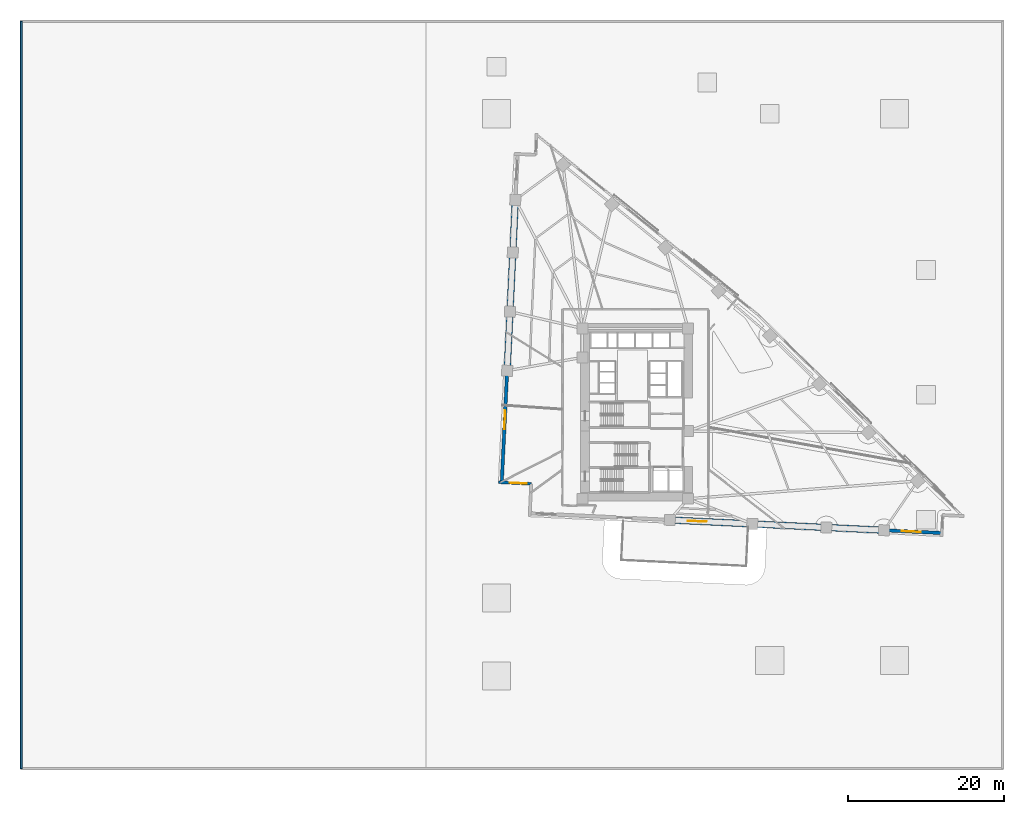
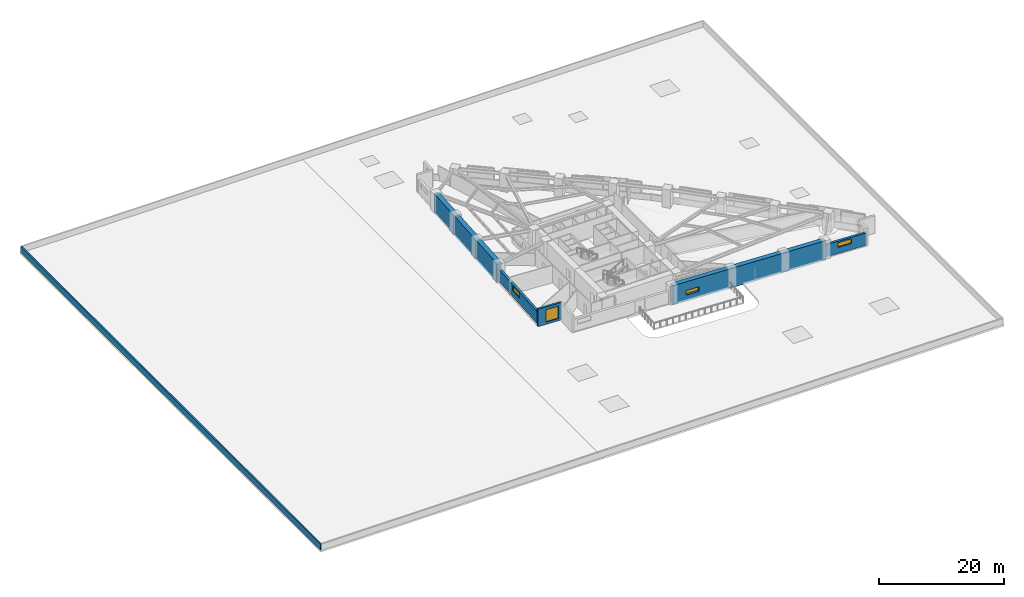
# One storey, part 12 of 19: 6 walls, 4 windows, 4 openings.
"""IFC4 building model written with IfcOpenShell, lengths in metres."""

import ifcopenshell
import ifcopenshell.guid

model = None  # the IFC model being written
_history = None  # IfcOwnerHistory: only IFC2X3 demands one
_inside = {}  # id of a spatial element -> (the spatial element, [elements in it])
_under = {}  # id of a project, library or spatial element -> (it, [spatial elements below it])
_declared = {}  # id of a project -> (the project, [libraries it declares])
_typed = {}  # id of a type object -> (the type object, [elements of that type])
_made_of = {}  # id of a material, layer set ... -> (it, [elements and type objects made of it])


def new_model(schema):
    """Start an empty IFC model of exactly this schema.

    Asked for "IFC4X3", IfcOpenShell would pick the latest addendum, in which some entities
    have other attributes; the version numbers below select the first issue.
    IFC2X3 requires an IfcOwnerHistory on every rooted entity: one is made here for all.
    """
    global model, _history
    if schema == "IFC4X3":
        model = ifcopenshell.file(schema_version=(4, 3, 0, 0))
    else:
        model = ifcopenshell.file(schema=schema)
    _inside.clear()
    _under.clear()
    _declared.clear()
    _typed.clear()
    _made_of.clear()
    _history = None
    if model.schema == "IFC2X3":
        org = make("IfcOrganization", Name="unknown")
        user = make(
            "IfcPersonAndOrganization",
            ThePerson=make("IfcPerson", FamilyName="unknown"),
            TheOrganization=org,
        )
        app = make(
            "IfcApplication",
            ApplicationDeveloper=org,
            Version="unknown",
            ApplicationFullName="unknown",
            ApplicationIdentifier="unknown",
        )
        _history = make(
            "IfcOwnerHistory",
            OwningUser=user,
            OwningApplication=app,
            ChangeAction="ADDED",
            CreationDate=0,
        )
    return model


def make(cls, **values):
    """One entity of the class cls with the attributes given. An attribute that is None is left unset."""
    return model.create_entity(
        cls, **{name: value for name, value in values.items() if value is not None}
    )


def rooted(cls, **values):
    """An entity with a GlobalId (a new one), such as an element, a storey or a relation."""
    return make(cls, GlobalId=ifcopenshell.guid.new(), OwnerHistory=_history, **values)


def si_unit(unit_type, name, prefix=None):
    """IfcSIUnit, for example si_unit("LENGTHUNIT", "METRE", prefix="MILLI")."""
    return make("IfcSIUnit", UnitType=unit_type, Prefix=prefix, Name=name)


def assignment(units):
    """IfcUnitAssignment: the units of a project."""
    return None if units is None else make("IfcUnitAssignment", Units=units)


def point(xyz):
    """IfcCartesianPoint."""
    return None if xyz is None else make("IfcCartesianPoint", Coordinates=xyz)


def direction(xyz):
    """IfcDirection."""
    return None if xyz is None else make("IfcDirection", DirectionRatios=xyz)


def frame(location, z_axis=None, x_axis=None):
    """IfcAxis2Placement3D, a coordinate frame: its origin and axes. An axis left out is left unset."""
    return make(
        "IfcAxis2Placement3D",
        Location=point(location),
        Axis=direction(z_axis),
        RefDirection=direction(x_axis),
    )


def frame_2d(location, x_axis=None):
    """IfcAxis2Placement2D, a coordinate frame in the plane: its origin and x axis."""
    return make(
        "IfcAxis2Placement2D", Location=point(location), RefDirection=direction(x_axis)
    )


def origin():
    """The frame at (0, 0, 0) with its axes left unset."""
    return frame((0.0, 0.0, 0.0))


def place(relative_to, where):
    """IfcLocalPlacement: puts the frame where relative to a parent placement (None: the world)."""
    return make(
        "IfcLocalPlacement", PlacementRelTo=relative_to, RelativePlacement=where
    )


def context(
    kind, dimensions, precision=None, world=None, true_north=None, identifier=None
):
    """IfcGeometricRepresentationContext, for example the 3D "Model" context."""
    return make(
        "IfcGeometricRepresentationContext",
        ContextIdentifier=identifier,
        ContextType=kind,
        CoordinateSpaceDimension=dimensions,
        Precision=precision,
        WorldCoordinateSystem=world,
        TrueNorth=true_north,
    )


def subcontext(parent, identifier, kind, view, scale=None):
    """IfcGeometricRepresentationSubContext, for example "Body" below "Model"."""
    return make(
        "IfcGeometricRepresentationSubContext",
        ContextIdentifier=identifier,
        ContextType=kind,
        ParentContext=parent,
        TargetScale=scale,
        TargetView=view,
    )


def project(units=None, contexts=None):
    """IfcProject with its units and contexts."""
    return rooted(
        "IfcProject",
        Name="project",
        RepresentationContexts=contexts,
        UnitsInContext=assignment(units),
    )


def spatial(cls, under=None, at=None, **own):
    """A site, building, storey or space (cls), placed at a placement, below another one or the project."""
    s = rooted(cls, ObjectPlacement=at, **own)
    if under is not None:
        _under.setdefault(under.id(), (under, []))[1].append(s)
    return s


def profile(cls, at=None, kind="AREA", **sizes):
    """A parametric profile (cls). Its sizes go by their IFC names, for example OverallWidth=200.0."""
    return make(cls, ProfileType=kind, Position=at, **sizes)


def rectangle(**sizes):
    """IfcRectangleProfileDef."""
    return profile("IfcRectangleProfileDef", **sizes)


def extrude(swept, where, along, depth):
    """IfcExtrudedAreaSolid: the profile swept, set in the frame where, extruded along a direction by depth."""
    return make(
        "IfcExtrudedAreaSolid",
        SweptArea=swept,
        Position=where,
        ExtrudedDirection=direction(along),
        Depth=depth,
    )


def shape(context_of_items, identifier, shape_type, items):
    """IfcShapeRepresentation: the items that make up one representation, for example the "Body"."""
    return make(
        "IfcShapeRepresentation",
        ContextOfItems=context_of_items,
        RepresentationIdentifier=identifier,
        RepresentationType=shape_type,
        Items=items,
    )


def material(Name=None, Category=None):
    """IfcMaterial."""
    return make("IfcMaterial", Name=Name, Category=Category)


def layer(
    of_material, thickness, ventilated=None, Name=None, Category=None, Priority=None
):
    """IfcMaterialLayer: one layer of a wall or slab, of a material (None: an air gap)."""
    return make(
        "IfcMaterialLayer",
        Material=of_material,
        LayerThickness=thickness,
        IsVentilated=ventilated,
        Name=Name,
        Category=Category,
        Priority=Priority,
    )


def layer_set(layers, Name=None):
    """IfcMaterialLayerSet."""
    return make("IfcMaterialLayerSet", MaterialLayers=layers, LayerSetName=Name)


def made_of(thing, what):
    """Note that an element or type object is made of a material, layer set ...; save() writes the relation."""
    if what is not None:
        _made_of.setdefault(what.id(), (what, []))[1].append(thing)
    return thing


def type_object(cls, material=None, **own):
    """A type object (cls), such as IfcWallType, which elements share."""
    return made_of(rooted(cls, **own), material)


def element(
    cls,
    number,
    at=None,
    inside=None,
    cuts=None,
    type_object=None,
    material=None,
    context=None,
    identifier="Body",
    shape_type=None,
    held_by="IfcProductDefinitionShape",
    body=None,
    shapes=None,
    **own,
):
    """One element of the class cls, such as IfcWall. Its Tag is "e" and its number.

    at: its placement. inside: the storey or other place that contains it. cuts: it is an
    opening in that element (IfcRelVoidsElement). A single representation is given by context,
    identifier, shape_type and body (its items); several are given by shapes. held_by: the class
    of the entity that holds the representations. save() writes the other relations.
    """
    e = rooted(cls, Tag="e%d" % number, ObjectPlacement=at, **own)
    if body is not None:
        shapes = [shape(context, identifier, shape_type, body)]
    if shapes is not None:
        e.Representation = make(held_by, Representations=shapes)
    if inside is not None:
        _inside.setdefault(inside.id(), (inside, []))[1].append(e)
    if cuts is not None:
        rooted(
            "IfcRelVoidsElement", RelatingBuildingElement=cuts, RelatedOpeningElement=e
        )
    if type_object is not None:
        _typed.setdefault(type_object.id(), (type_object, []))[1].append(e)
    return made_of(e, material)


def fill(opening, filler):
    """IfcRelFillsElement: the door or window that sits in an opening."""
    return rooted(
        "IfcRelFillsElement",
        RelatingOpeningElement=opening,
        RelatedBuildingElement=filler,
    )


def aggregate(whole, parts):
    """IfcRelAggregates: a whole, such as a stair, and the parts it consists of."""
    return rooted("IfcRelAggregates", RelatingObject=whole, RelatedObjects=parts)


def save(model, path):
    """Write the relations noted so far, then the file.

    IfcRelAggregates (storeys below a building ...), IfcRelContainedInSpatialStructure (elements
    in a storey), IfcRelDefinesByType, IfcRelAssociatesMaterial and IfcRelDeclares: one each for
    every whole, place, type object, material and project.
    """
    for whole, parts in _under.values():
        aggregate(whole, parts)
    for where, things in _inside.values():
        rooted(
            "IfcRelContainedInSpatialStructure",
            RelatedElements=things,
            RelatingStructure=where,
        )
    for kind, things in _typed.values():
        rooted("IfcRelDefinesByType", RelatedObjects=things, RelatingType=kind)
    for what, things in _made_of.values():
        rooted("IfcRelAssociatesMaterial", RelatedObjects=things, RelatingMaterial=what)
    for by, libraries in _declared.values():
        rooted("IfcRelDeclares", RelatingContext=by, RelatedDefinitions=libraries)
    model.write(path)


model = new_model("IFC4")

# Units and contexts
model_context = context("Model", 3, precision=1e-05, world=origin(), true_north=direction((0.0, 1.0)))
body_context = subcontext(model_context, "Body", "Model", "MODEL_VIEW")
ifc_project = project(units=[si_unit("LENGTHUNIT", "METRE"), si_unit("AREAUNIT", "SQUARE_METRE"), si_unit("VOLUMEUNIT", "CUBIC_METRE"), si_unit("PLANEANGLEUNIT", "RADIAN"), si_unit("MASSUNIT", "GRAM", prefix="KILO")], contexts=[model_context])

# Site, building, storey
site_placement = place(None, origin())
site = spatial("IfcSite", under=ifc_project, at=site_placement, CompositionType="ELEMENT")
building_placement = place(site_placement, origin())
building = spatial("IfcBuilding", under=site, at=building_placement, Name="Narakoshi Arena Tower", CompositionType="ELEMENT")
storey_placement = place(building_placement, frame((0.0, 0.0, 26.699951171875)))
storey = spatial("IfcBuildingStorey", under=building, at=storey_placement, Name="L06", CompositionType="ELEMENT", Elevation=26.699951171875)

# Wall, opening, window
ifc_material_1 = material(Name="Concrete C60/75", Category="concrete")
ifc_layer_1 = layer(ifc_material_1, 0.85009765625)
ifc_layer_set_1 = layer_set([ifc_layer_1], Name="Concrete C60/75")
wall_type_1 = type_object("IfcWallType", Name="WL-LEG-850", PredefinedType="SHEAR", material=ifc_layer_set_1)
wall_1_placement = place(storey_placement, frame((83.2119140625, 31.979248046875, -0.39990234375), z_axis=(0.0, 0.0, 1.0), x_axis=(0.998848235141, -0.047981279227, 0.0)))
wall_1 = element("IfcWall", 1, at=wall_1_placement, inside=storey, type_object=wall_type_1, Name="L06 Architectural Concrete Structural Wall LEGA-2", PredefinedType="SHEAR", context=body_context, shape_type="SweptSolid", body=[
    extrude(rectangle(XDim=27.456298828125, YDim=0.85009765625, at=frame_2d((13.72802734375, 0.0))), origin(), (0.0, 0.0, 1.0), 3.800048828125),
])
opening_1_placement = place(wall_1_placement, frame((2.300048828125, 0.0, 1.199951171875)))
opening_1 = element("IfcOpeningElement", 2, at=opening_1_placement, cuts=wall_1, Name="Opening WN-01", PredefinedType="OPENING", context=body_context, shape_type="SweptSolid", body=[
    extrude(rectangle(XDim=2.39990234375, YDim=0.89990234375, at=frame_2d((1.199951171875, 0.449951171875))), frame((0.0, 0.43505859375, 0.0), z_axis=(0.0, -1.0, 0.0), x_axis=(1.0, 0.0, 0.0)), (0.0, 0.0, 1.0), 0.8701171875),
])
ifc_material_2 = material(Name="Bronze-tinted low-E laminated glass", Category="glass")
window_type_1 = type_object("IfcWindowType", Name="WIN-SLT-24x09", PartitioningType="SINGLE_PANEL", PredefinedType="WINDOW", material=ifc_material_2)
window_1_placement = place(opening_1_placement, origin())
window_1 = element("IfcWindow", 3, at=window_1_placement, inside=storey, type_object=window_type_1, Name="L06 LEGA2 Horizontal Slot Window 1", OverallHeight=0.89990234375, OverallWidth=2.39990234375, PartitioningType="SINGLE_PANEL", PredefinedType="WINDOW", context=body_context, shape_type="SweptSolid", body=[
    extrude(rectangle(XDim=2.39990234375, YDim=0.89990234375, at=frame_2d((1.199951171875, 0.449951171875))), frame((0.0, 0.030029296875, 0.0), z_axis=(0.0, -1.0, 0.0), x_axis=(1.0, 0.0, 0.0)), (0.0, 0.0, 1.0), 0.06005859375),
])
fill(opening_1, window_1)

# Walls
wall_2_placement = place(storey_placement, frame((63.42822265625, 72.95654296875, -0.39990234375), z_axis=(0.0, 0.0, 1.0), x_axis=(-0.047976309476, -0.998848473858, 0.0)))
element("IfcWall", 4, at=wall_2_placement, inside=storey, type_object=wall_type_1, Name="L06 Architectural Concrete Structural Wall LEGB-2", PredefinedType="SHEAR", context=body_context, shape_type="SweptSolid", body=[
    extrude(rectangle(XDim=21.891845703125, YDim=0.85009765625, at=frame_2d((10.94580078125, 0.0))), origin(), (0.0, 0.0, 1.0), 3.800048828125),
])
ifc_material_3 = material(Name="Precast concrete C45/55", Category="concrete")
ifc_layer_2 = layer(ifc_material_3, 0.25)
ifc_layer_set_2 = layer_set([ifc_layer_2], Name="Precast concrete C45/55")
wall_type_2 = type_object("IfcWallType", Name="WL-PARA-250", PredefinedType="PARAPET", material=ifc_layer_set_2)
wall_3_placement = place(storey_placement, frame((0.14990234375, 95.85009765625, 0.0), z_axis=(0.0, 0.0, 1.0), x_axis=(0.0, -1.0, 0.0)))
element("IfcWall", 5, at=wall_3_placement, inside=storey, type_object=wall_type_2, Name="L06 Podium Roof Upstand Parapet W", PredefinedType="PARAPET", context=body_context, shape_type="SweptSolid", body=[
    extrude(rectangle(XDim=95.7001953125, YDim=0.25, at=frame_2d((47.85009765625, 0.0))), origin(), (0.0, 0.0, 1.0), 1.199951171875),
])

# Wall, opening, window
ifc_layer_3 = layer(ifc_material_3, 0.419921875)
ifc_layer_set_3 = layer_set([ifc_layer_3], Name="Precast concrete C45/55")
wall_type_3 = type_object("IfcWallType", Name="WL-POD-420", PredefinedType="SOLIDWALL", material=ifc_layer_set_3)
wall_4_placement = place(storey_placement, frame((110.636474609375, 30.661865234375, 0.0), z_axis=(0.0, 0.0, 1.0), x_axis=(0.998847872759, -0.047988822508, 0.0)))
wall_4 = element("IfcWall", 6, at=wall_4_placement, inside=storey, type_object=wall_type_3, Name="L06 Architectural Concrete Facade Wall LEGA-3", PredefinedType="SOLIDWALL", context=body_context, shape_type="SweptSolid", body=[
    extrude(rectangle(XDim=7.39208984375, YDim=0.419921875, at=frame_2d((3.696044921875, 0.0))), origin(), (0.0, 0.0, 1.0), 2.385009765625),
])
opening_2_placement = place(wall_4_placement, frame((2.300048828125, 0.0, 1.199951171875)))
opening_2 = element("IfcOpeningElement", 7, at=opening_2_placement, cuts=wall_4, Name="Opening WN-01", PredefinedType="OPENING", context=body_context, shape_type="SweptSolid", body=[
    extrude(rectangle(XDim=2.39990234375, YDim=0.89990234375, at=frame_2d((1.199951171875, 0.449951171875))), frame((0.0, 0.219970703125, 0.0), z_axis=(0.0, -1.0, 0.0), x_axis=(1.0, 0.0, 0.0)), (0.0, 0.0, 1.0), 0.43994140625),
])
window_2_placement = place(opening_2_placement, origin())
window_2 = element("IfcWindow", 8, at=window_2_placement, inside=storey, type_object=window_type_1, Name="L06 LEGA3 Horizontal Slot Window 1", OverallHeight=0.89990234375, OverallWidth=2.39990234375, PartitioningType="SINGLE_PANEL", PredefinedType="WINDOW", context=body_context, shape_type="SweptSolid", body=[
    extrude(rectangle(XDim=2.39990234375, YDim=0.89990234375, at=frame_2d((1.199951171875, 0.449951171875))), frame((0.0, 0.030029296875, 0.0), z_axis=(0.0, -1.0, 0.0), x_axis=(1.0, 0.0, 0.0)), (0.0, 0.0, 1.0), 0.06005859375),
])
fill(opening_2, window_2)

wall_5_placement = place(storey_placement, frame((62.3779296875, 51.08984375, 0.0), z_axis=(0.0, 0.0, 1.0), x_axis=(-0.047978424452, -0.99884837227, 0.0)))
wall_5 = element("IfcWall", 9, at=wall_5_placement, inside=storey, type_object=wall_type_3, Name="L06 Architectural Concrete Facade Wall LEGB-3", PredefinedType="SOLIDWALL", context=body_context, shape_type="SweptSolid", body=[
    extrude(rectangle(XDim=14.314208984375, YDim=0.419921875, at=frame_2d((7.1572265625, 0.0))), origin(), (0.0, 0.0, 1.0), 2.385009765625),
])
opening_3_placement = place(wall_5_placement, frame((5.10009765625, 0.0, 1.199951171875)))
opening_3 = element("IfcOpeningElement", 10, at=opening_3_placement, cuts=wall_5, Name="Opening WN-01", PredefinedType="OPENING", context=body_context, shape_type="SweptSolid", body=[
    extrude(rectangle(XDim=2.39990234375, YDim=0.89990234375, at=frame_2d((1.199951171875, 0.449951171875))), frame((0.0, 0.219970703125, 0.0), z_axis=(0.0, -1.0, 0.0), x_axis=(1.0, 0.0, 0.0)), (0.0, 0.0, 1.0), 0.43994140625),
])
window_3_placement = place(opening_3_placement, origin())
window_3 = element("IfcWindow", 11, at=window_3_placement, inside=storey, type_object=window_type_1, Name="L06 LEGB3 Horizontal Slot Window 1", OverallHeight=0.89990234375, OverallWidth=2.39990234375, PartitioningType="SINGLE_PANEL", PredefinedType="WINDOW", context=body_context, shape_type="SweptSolid", body=[
    extrude(rectangle(XDim=2.39990234375, YDim=0.89990234375, at=frame_2d((1.199951171875, 0.449951171875))), frame((0.0, 0.030029296875, 0.0), z_axis=(0.0, -1.0, 0.0), x_axis=(1.0, 0.0, 0.0)), (0.0, 0.0, 1.0), 0.06005859375),
])
fill(opening_3, window_3)

wall_6_placement = place(storey_placement, frame((61.2666015625, 36.8125, 0.0), z_axis=(0.0, 0.0, 1.0), x_axis=(0.998849519138, -0.047954542207, 0.0)))
wall_6 = element("IfcWall", 12, at=wall_6_placement, inside=storey, type_object=wall_type_3, Name="L06 Re-Entrant Corner Notch Wall NTA-1", PredefinedType="SOLIDWALL", context=body_context, shape_type="SweptSolid", body=[
    extrude(rectangle(XDim=4.2001953125, YDim=0.360107421875, at=frame_2d((2.10009765625, 0.0))), origin(), (0.0, 0.0, 1.0), 3.400146484375),
])
opening_4_placement = place(wall_6_placement, frame((1.43994140625, 0.0, 0.449951171875)))
opening_4 = element("IfcOpeningElement", 13, at=opening_4_placement, cuts=wall_6, Name="Opening WN-07", PredefinedType="OPENING", context=body_context, shape_type="SweptSolid", body=[
    extrude(rectangle(XDim=2.199951171875, YDim=2.39990234375, at=frame_2d((1.10009765625, 1.199951171875))), frame((0.0, 0.18994140625, 0.0), z_axis=(0.0, -1.0, 0.0), x_axis=(1.0, 0.0, 0.0)), (0.0, 0.0, 1.0), 0.380126953125),
])
window_type_2 = type_object("IfcWindowType", Name="WIN-NTC-22x24", PartitioningType="SINGLE_PANEL", PredefinedType="WINDOW", material=ifc_material_2)
window_4_placement = place(opening_4_placement, origin())
window_4 = element("IfcWindow", 14, at=window_4_placement, inside=storey, type_object=window_type_2, Name="L06 Corner Notch Window NTA", OverallHeight=2.39990234375, OverallWidth=2.199951171875, PartitioningType="SINGLE_PANEL", PredefinedType="WINDOW", context=body_context, shape_type="SweptSolid", body=[
    extrude(rectangle(XDim=2.199951171875, YDim=2.39990234375, at=frame_2d((1.10009765625, 1.199951171875))), frame((0.0, 0.030029296875, 0.0), z_axis=(0.0, -1.0, 0.0), x_axis=(1.0, 0.0, 0.0)), (0.0, 0.0, 1.0), 0.06005859375),
])
fill(opening_4, window_4)

save(model, "model.ifc")
